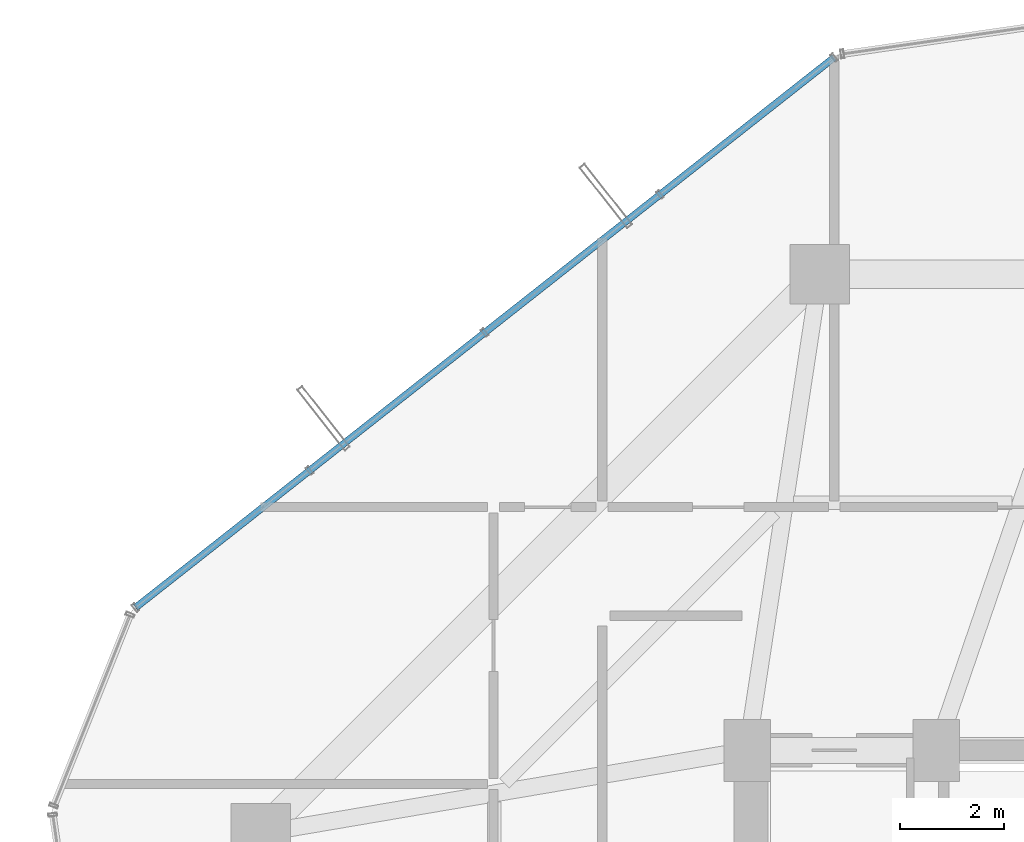
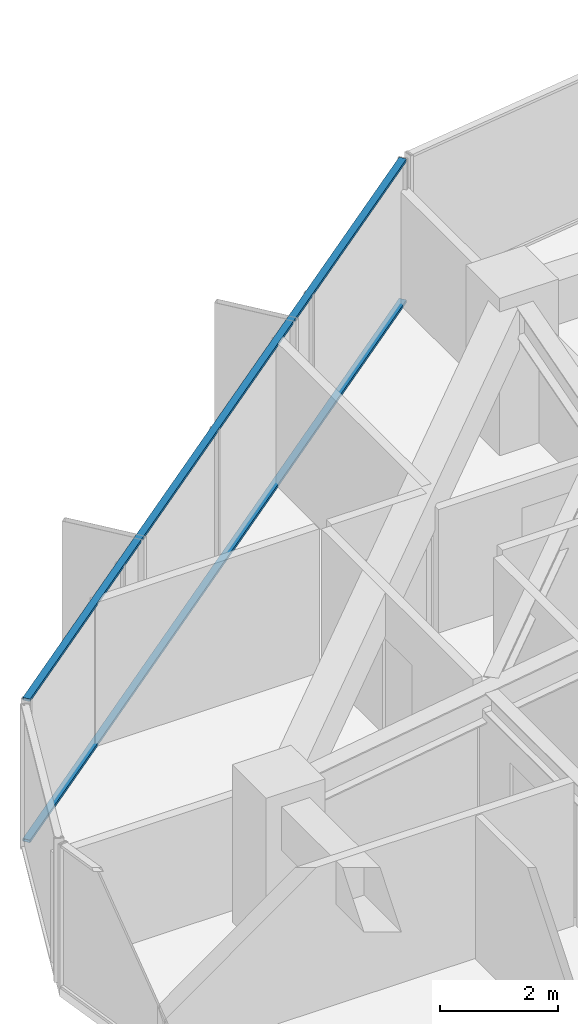
# One storey, part 21 of 34: 2 members, 1 element without a shape of its own.
"""IFC4 building model written with IfcOpenShell, lengths in metres."""

from ifc_helpers import new_model, si_unit, direction, frame, origin, origin_2d, place, context, subcontext, project, spatial, hollow_rectangle, extrude, source, transform, mapped, material, layer, layer_set, material_profile, profile_set, type_object, element, aggregate, save


model = new_model("IFC4")

# Units and contexts
model_context = context("Model", 3, precision=1e-05, world=origin(), true_north=direction((0.0, 1.0)))
body_context = subcontext(model_context, "Body", "Model", "MODEL_VIEW")
ifc_project = project(units=[si_unit("LENGTHUNIT", "METRE"), si_unit("AREAUNIT", "SQUARE_METRE"), si_unit("VOLUMEUNIT", "CUBIC_METRE"), si_unit("PLANEANGLEUNIT", "RADIAN"), si_unit("MASSUNIT", "GRAM", prefix="KILO")], contexts=[model_context])

# Site, building, storey
site_placement = place(None, origin())
site = spatial("IfcSite", under=ifc_project, at=site_placement, CompositionType="ELEMENT")
building_placement = place(site_placement, origin())
building = spatial("IfcBuilding", under=site, at=building_placement, Name="Veraguas Prism Commons", CompositionType="ELEMENT")
storey_placement = place(building_placement, frame((0.0, 0.0, 155.5)))
storey = spatial("IfcBuildingStorey", under=building, at=storey_placement, Name="L44", CompositionType="ELEMENT", Elevation=155.5)

# Curtain wall, members
ifc_material = material(Name="Anodised aluminium EN AW-6063 T6", Category="aluminium")
ifc_layer = layer(ifc_material, 0.169921875, Name="Unitised Flush Curtain Wall Zone 2", Category="aluminium")
ifc_layer_set = layer_set([ifc_layer], Name="Anodised aluminium EN AW-6063 T6")
curtain_wall_type = type_object("IfcCurtainWallType", Name="Unitised Flush Curtain Wall Zone 2", PredefinedType="NOTDEFINED", material=ifc_layer_set)
curtain_wall_placement = place(storey_placement, origin())
curtain_wall = element("IfcCurtainWall", 1, at=curtain_wall_placement, inside=storey, type_object=curtain_wall_type, Name="Tower Facade Curtain Wall L44-F2", PredefinedType="NOTDEFINED")
ifc_material_profile = material_profile(ifc_material, hollow_rectangle(XDim=0.054931640625, YDim=0.135009765625, WallThickness=0.0029296875, at=origin_2d()), Name="AL55X135X3")
ifc_profile_set = profile_set([ifc_material_profile], Name="Anodised aluminium EN AW-6063 T6")
member_type = type_object("IfcMemberType", Name="Curtain Wall Transom Standard AL 55x135x3", PredefinedType="USERDEFINED", material=ifc_profile_set)
shared_shape = source(origin(), body_context, "Body", "SweptSolid", [
    extrude(hollow_rectangle(XDim=0.054931640625, YDim=0.135009765625, WallThickness=0.0029296875, at=origin_2d()), origin(), (0.0, 0.0, 1.0), 17.17431640625),
])
member_1_placement = place(storey_placement, frame((18.878662109375, 44.38330078125, 0.027587890625), z_axis=(-0.785641583212, -0.618681907549, 0.0), x_axis=(0.0, 0.0, 1.0)))
member_1 = element("IfcMember", 2, at=member_1_placement, type_object=member_type, Name="CW-Z2 Transom 1", ObjectType="TRANSOM", PredefinedType="USERDEFINED", context=body_context, shape_type="MappedRepresentation", body=[
    mapped(shared_shape, transform((0.0, 0.0, 0.0), scale=1.0)),
])
member_2_placement = place(storey_placement, frame((18.878662109375, 44.38330078125, 2.9423828125), z_axis=(-0.785641583212, -0.618681907549, 0.0), x_axis=(0.0, 0.0, 1.0)))
member_2 = element("IfcMember", 3, at=member_2_placement, type_object=member_type, Name="CW-Z2 Transom 2", ObjectType="TRANSOM", PredefinedType="USERDEFINED", context=body_context, shape_type="MappedRepresentation", body=[
    mapped(shared_shape, transform((0.0, 0.0, 0.0), scale=1.0)),
])
aggregate(curtain_wall, [member_1, member_2])

save(model, "model.ifc")
